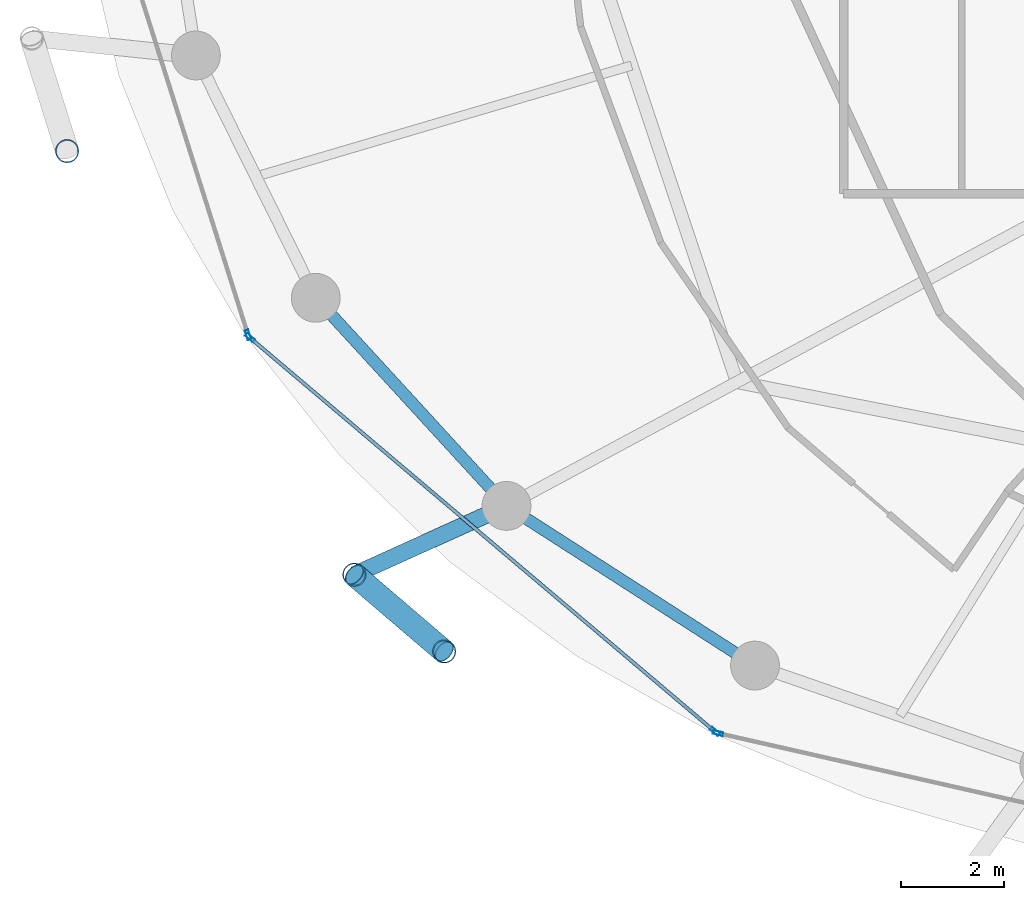
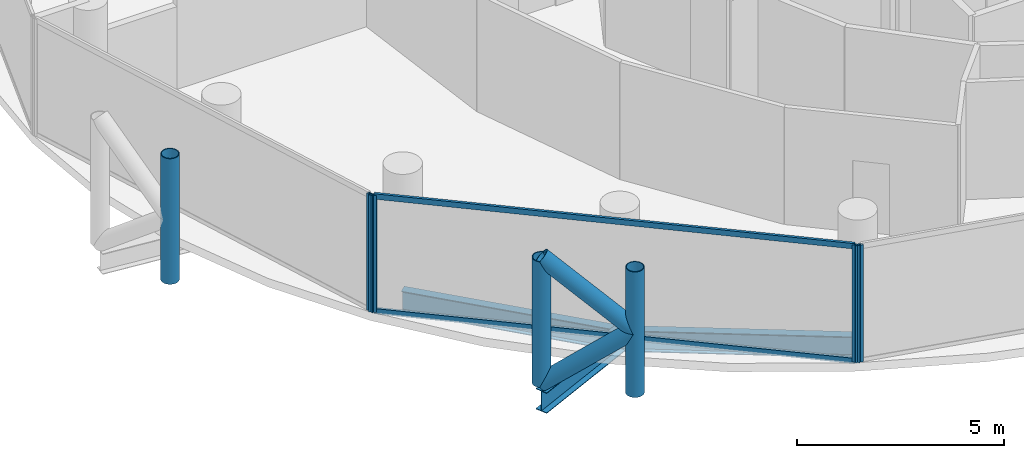
# One storey, part 2 of 26: 11 members, 3 beams, 3 elements without a shape of their own.
"""IFC4 building model written with IfcOpenShell, lengths in metres."""

from ifc_helpers import new_model, si_unit, direction, frame, origin, origin_2d, place, context, subcontext, project, spatial, hollow_rectangle, hollow_circle, i_section, extrude, material, layer, layer_set, material_profile, profile_set, type_object, element, aggregate, save


model = new_model("IFC4")

# Units and contexts
model_context = context("Model", 3, precision=1e-05, world=origin(), true_north=direction((0.0, 1.0)))
body_context = subcontext(model_context, "Body", "Model", "MODEL_VIEW")
ifc_project = project(units=[si_unit("LENGTHUNIT", "METRE"), si_unit("AREAUNIT", "SQUARE_METRE"), si_unit("VOLUMEUNIT", "CUBIC_METRE"), si_unit("PLANEANGLEUNIT", "RADIAN"), si_unit("MASSUNIT", "GRAM", prefix="KILO")], contexts=[model_context])

# Site, building, storey
site_placement = place(None, origin())
site = spatial("IfcSite", under=ifc_project, at=site_placement, CompositionType="ELEMENT")
building_placement = place(site_placement, origin())
building = spatial("IfcBuilding", under=site, at=building_placement, Name="Nuhasar Tower", CompositionType="ELEMENT")
storey_placement = place(building_placement, frame((0.0, 0.0, 173.75)))
storey = spatial("IfcBuildingStorey", under=building, at=storey_placement, Name="L42", CompositionType="ELEMENT", Elevation=173.75)

# Beams
ifc_material_1 = material(Name="Steel S355", Category="steel")
ifc_material_profile_1 = material_profile(ifc_material_1, i_section(OverallWidth=0.22998046875, OverallDepth=0.616943359375, WebThickness=0.01318359375, FlangeThickness=0.022216796875, at=origin_2d()), Name="W24X94")
ifc_profile_set_1 = profile_set([ifc_material_profile_1], Name="Steel S355")
beam_type_1 = type_object("IfcBeamType", Name="BM-RING-W24X94", PredefinedType="SPANDREL", material=ifc_profile_set_1)
beam_1_placement = place(storey_placement, frame((18.778076171875, 17.02490234375, -0.55908203125), z_axis=(0.675676316545, -0.737198423262, 0.0), x_axis=(0.737198423262, 0.675676316545, 0.0)))
element("IfcBeam", 1, at=beam_1_placement, inside=storey, type_object=beam_type_1, Name="L42 Perimeter Ring Spandrel 15", PredefinedType="SPANDREL", context=body_context, shape_type="SweptSolid", body=[
    extrude(i_section(OverallWidth=0.22998046875, OverallDepth=0.616943359375, WebThickness=0.01318359375, FlangeThickness=0.022216796875, at=origin_2d()), origin(), (0.0, 0.0, 1.0), 5.4921875),
])
beam_2_placement = place(storey_placement, frame((22.489013671875, 12.97607421875, -0.55908203125), z_axis=(0.841308170616, -0.540555789955, 0.0), x_axis=(0.540555789955, 0.841308170616, 0.0)))
element("IfcBeam", 2, at=beam_2_placement, inside=storey, type_object=beam_type_1, Name="L42 Perimeter Ring Spandrel 16", PredefinedType="SPANDREL", context=body_context, shape_type="SweptSolid", body=[
    extrude(i_section(OverallWidth=0.22998046875, OverallDepth=0.616943359375, WebThickness=0.01318359375, FlangeThickness=0.022216796875, at=origin_2d()), origin(), (0.0, 0.0, 1.0), 5.748046875),
])
ifc_material_profile_2 = material_profile(ifc_material_1, i_section(OverallWidth=0.323974609375, OverallDepth=0.611083984375, WebThickness=0.0126953125, FlangeThickness=0.01904296875, at=origin_2d()), Name="W24X104")
ifc_profile_set_2 = profile_set([ifc_material_profile_2], Name="Steel S355")
beam_type_2 = type_object("IfcBeamType", Name="BM-TIE-W24X104", PredefinedType="BEAM", material=ifc_profile_set_2)
beam_3_placement = place(storey_placement, frame((22.489013671875, 12.97607421875, -0.554931640625), z_axis=(-0.911211381786, -0.411939094653, 0.0), x_axis=(0.411939094653, -0.911211381786, 0.0)))
element("IfcBeam", 3, at=beam_3_placement, inside=storey, type_object=beam_type_2, Name="L42 Exoskeleton Node Tie Beam 08", PredefinedType="BEAM", context=body_context, shape_type="SweptSolid", body=[
    extrude(i_section(OverallWidth=0.323974609375, OverallDepth=0.611083984375, WebThickness=0.0126953125, FlangeThickness=0.01904296875, at=origin_2d()), origin(), (0.0, 0.0, 1.0), 3.248291015625),
])

# Curtain wall, member
ifc_material_2 = material(Name="Aluminium 6063-T6", Category="aluminium")
ifc_layer = layer(ifc_material_2, 0.199951171875)
ifc_layer_set = layer_set([ifc_layer], Name="Aluminium 6063-T6")
curtain_wall_type = type_object("IfcCurtainWallType", Name="CW-Z2-HTL", PredefinedType="NOTDEFINED", material=ifc_layer_set)
curtain_wall_1_placement = place(storey_placement, origin())
curtain_wall_1 = element("IfcCurtainWall", 4, at=curtain_wall_1_placement, inside=storey, type_object=curtain_wall_type, Name="L42 Unitised Curtain Wall 07", PredefinedType="NOTDEFINED")
ifc_material_profile_3 = material_profile(ifc_material_2, hollow_rectangle(XDim=0.070068359375, YDim=0.199951171875, WallThickness=0.0048828125, at=origin_2d()), Name="CWM-3")
ifc_profile_set_3 = profile_set([ifc_material_profile_3], Name="Aluminium 6063-T6")
member_type_1 = type_object("IfcMemberType", Name="CW-MUL-S3", PredefinedType="MULLION", material=ifc_profile_set_3)
member_1_placement = place(storey_placement, frame((17.46044921875, 16.303466796875, 0.0), z_axis=(0.0, 0.0, 1.0), x_axis=(0.953433389233, 0.301603667577, 0.0)))
member_1 = element("IfcMember", 5, at=member_1_placement, type_object=member_type_1, Name="CW-Z2 mullion 2", PredefinedType="MULLION", context=body_context, shape_type="SweptSolid", body=[
    extrude(hollow_rectangle(XDim=0.070068359375, YDim=0.199951171875, WallThickness=0.0048828125, at=origin_2d()), origin(), (0.0, 0.0, 1.0), 3.449951171875),
])
aggregate(curtain_wall_1, [member_1])

# Curtain wall, members
curtain_wall_2_placement = place(storey_placement, origin())
curtain_wall_2 = element("IfcCurtainWall", 6, at=curtain_wall_2_placement, inside=storey, type_object=curtain_wall_type, Name="L42 Unitised Curtain Wall 08", PredefinedType="NOTDEFINED")
member_2_placement = place(storey_placement, frame((17.497802734375, 16.247314453125, 0.0), z_axis=(0.0, 0.0, 1.0), x_axis=(0.646374438324, 0.763020370292, 0.0)))
member_2 = element("IfcMember", 7, at=member_2_placement, type_object=member_type_1, Name="CW-Z2 mullion 1", PredefinedType="MULLION", context=body_context, shape_type="SweptSolid", body=[
    extrude(hollow_rectangle(XDim=0.070068359375, YDim=0.199951171875, WallThickness=0.0048828125, at=origin_2d()), origin(), (0.0, 0.0, 1.0), 3.449951171875),
])
member_3_placement = place(storey_placement, frame((26.543212890625, 8.584716796875, 0.0), z_axis=(0.0, 0.0, 1.0), x_axis=(0.646374438324, 0.763020370292, 0.0)))
member_3 = element("IfcMember", 8, at=member_3_placement, type_object=member_type_1, Name="CW-Z2 mullion 2", PredefinedType="MULLION", context=body_context, shape_type="SweptSolid", body=[
    extrude(hollow_rectangle(XDim=0.070068359375, YDim=0.199951171875, WallThickness=0.0048828125, at=origin_2d()), origin(), (0.0, 0.0, 1.0), 3.449951171875),
])

# Curtain wall, member
curtain_wall_3_placement = place(storey_placement, origin())
curtain_wall_3 = element("IfcCurtainWall", 9, at=curtain_wall_3_placement, inside=storey, type_object=curtain_wall_type, Name="L42 Unitised Curtain Wall 09", PredefinedType="NOTDEFINED")
member_4_placement = place(storey_placement, frame((26.604248046875, 8.55419921875, 0.0), z_axis=(0.0, 0.0, 1.0), x_axis=(0.22139729566, 0.975183694221, 0.0)))
member_4 = element("IfcMember", 10, at=member_4_placement, type_object=member_type_1, Name="CW-Z2 mullion 1", PredefinedType="MULLION", context=body_context, shape_type="SweptSolid", body=[
    extrude(hollow_rectangle(XDim=0.070068359375, YDim=0.199951171875, WallThickness=0.0048828125, at=origin_2d()), origin(), (0.0, 0.0, 1.0), 3.449951171875),
])
aggregate(curtain_wall_3, [member_4])

# Member
ifc_material_profile_4 = material_profile(ifc_material_2, hollow_rectangle(XDim=0.070068359375, YDim=0.159912109375, WallThickness=0.00439453125, at=origin_2d()), Name="CWT-3")
ifc_profile_set_4 = profile_set([ifc_material_profile_4], Name="Aluminium 6063-T6")
member_type_2 = type_object("IfcMemberType", Name="CW-TRN-S3", PredefinedType="USERDEFINED", material=ifc_profile_set_4)
member_5_placement = place(storey_placement, frame((17.5244140625, 16.224853515625, 0.034912109375), z_axis=(0.763013698099, -0.646382314511, 0.0), x_axis=(0.646382314511, 0.763013698099, 0.0)))
member_5 = element("IfcMember", 11, at=member_5_placement, type_object=member_type_2, Name="CW-Z2 transom 1.1", ObjectType="TRANSOM", PredefinedType="USERDEFINED", context=body_context, shape_type="SweptSolid", body=[
    extrude(hollow_rectangle(XDim=0.070068359375, YDim=0.159912109375, WallThickness=0.00439453125, at=origin_2d()), origin(), (0.0, 0.0, 1.0), 11.78515625),
])

member_6_placement = place(storey_placement, frame((17.5244140625, 16.224853515625, 3.4150390625), z_axis=(0.763013698099, -0.646382314511, 0.0), x_axis=(0.646382314511, 0.763013698099, 0.0)))
member_6 = element("IfcMember", 12, at=member_6_placement, type_object=member_type_2, Name="CW-Z2 transom 1.2", ObjectType="TRANSOM", PredefinedType="USERDEFINED", context=body_context, shape_type="SweptSolid", body=[
    extrude(hollow_rectangle(XDim=0.070068359375, YDim=0.159912109375, WallThickness=0.00439453125, at=origin_2d()), origin(), (0.0, 0.0, 1.0), 11.78515625),
])

aggregate(curtain_wall_2, [member_2, member_3, member_5, member_6])

# Members
ifc_material_3 = material(Name="Steel S460", Category="steel")
ifc_material_profile_5 = material_profile(ifc_material_3, hollow_circle(Radius=0.228515625, WallThickness=0.022216796875, at=origin_2d()), Name="HSS457X22.2")
ifc_profile_set_5 = profile_set([ifc_material_profile_5], Name="Steel S460")
member_type_3 = type_object("IfcMemberType", Name="EXO-BRONZE-457", PredefinedType="BRACE", material=ifc_profile_set_5)
for number, where, z_axis, x_axis, name in (
    (13, (13.93994140625, 19.87890625, 0.0), (0.0, 0.0, 1.0), (1.0, 0.0, 0.0), "L42 Exoskeleton Chord Column EC-07B"),
    (14, (19.529052734375, 11.637939453125, 0.0), (0.0, 0.0, 1.0), (1.0, 0.0, 0.0), "L42 Exoskeleton Chord Column EC-08A"),
    (15, (21.277099609375, 10.14306640625, 0.0), (0.0, 0.0, 1.0), (1.0, 0.0, 0.0), "L42 Exoskeleton Chord Column EC-08B"),
):
    element("IfcMember", number, at=place(storey_placement, frame(where, z_axis=z_axis, x_axis=x_axis)), inside=storey, type_object=member_type_3, Name=name, PredefinedType="BRACE", context=body_context, shape_type="SweptSolid", body=[
        extrude(hollow_circle(Radius=0.228515625, WallThickness=0.022216796875, at=origin_2d()), origin(), (0.0, 0.0, 1.0), 3.699951171875),
    ])
member_7_placement = place(storey_placement, frame((19.529052734375, 11.637939453125, 0.0), z_axis=(0.592195175458, -0.506426125604, 0.626767463634), x_axis=(0.649925557156, 0.7599978751, 0.0)))
element("IfcMember", 16, at=member_7_placement, inside=storey, type_object=member_type_3, Name="L42 Bronze Diagrid Brace W1-08", PredefinedType="BRACE", context=body_context, shape_type="SweptSolid", body=[
    extrude(hollow_circle(Radius=0.228515625, WallThickness=0.022216796875, at=origin_2d()), origin(), (0.0, 0.0, 1.0), 2.951904296875),
])
member_8_placement = place(storey_placement, frame((21.277099609375, 10.14306640625, 1.85009765625), z_axis=(-0.592225874743, 0.506452378638, 0.626717242029), x_axis=(-0.649925557156, -0.7599978751, 0.0)))
element("IfcMember", 17, at=member_8_placement, inside=storey, type_object=member_type_3, Name="L42 Bronze Diagrid Brace W2-08", PredefinedType="BRACE", context=body_context, shape_type="SweptSolid", body=[
    extrude(hollow_circle(Radius=0.228515625, WallThickness=0.022216796875, at=origin_2d()), origin(), (0.0, 0.0, 1.0), 2.95166015625),
])

save(model, "model.ifc")
